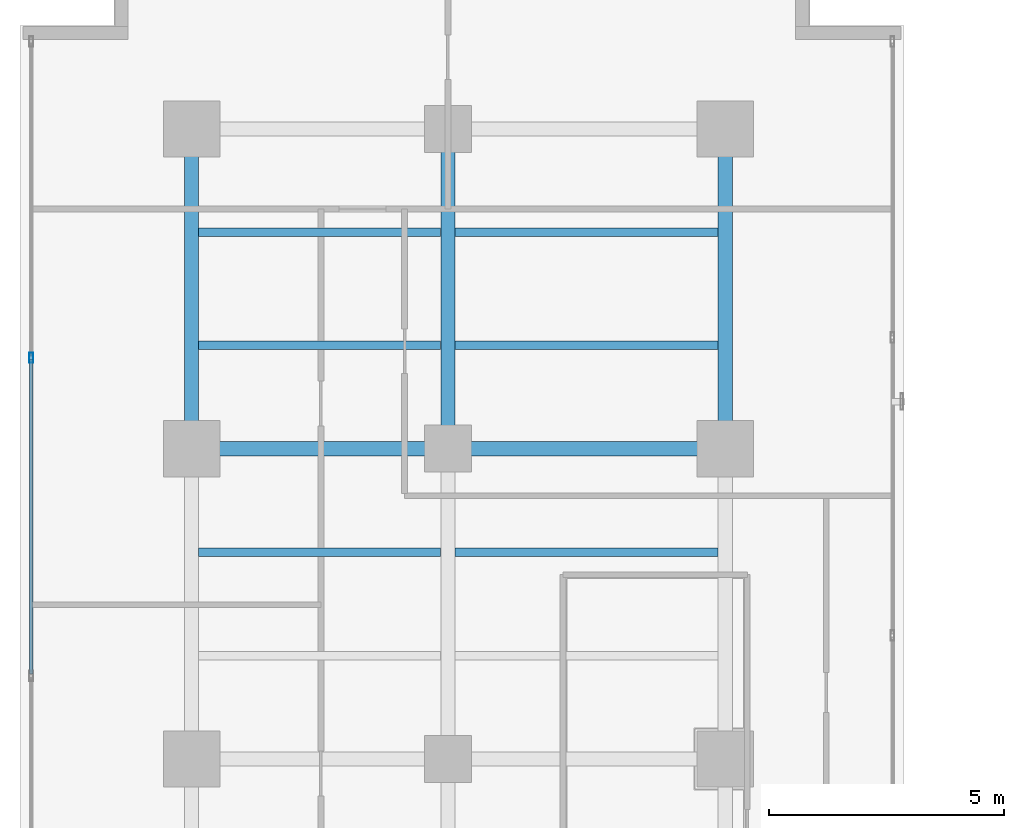
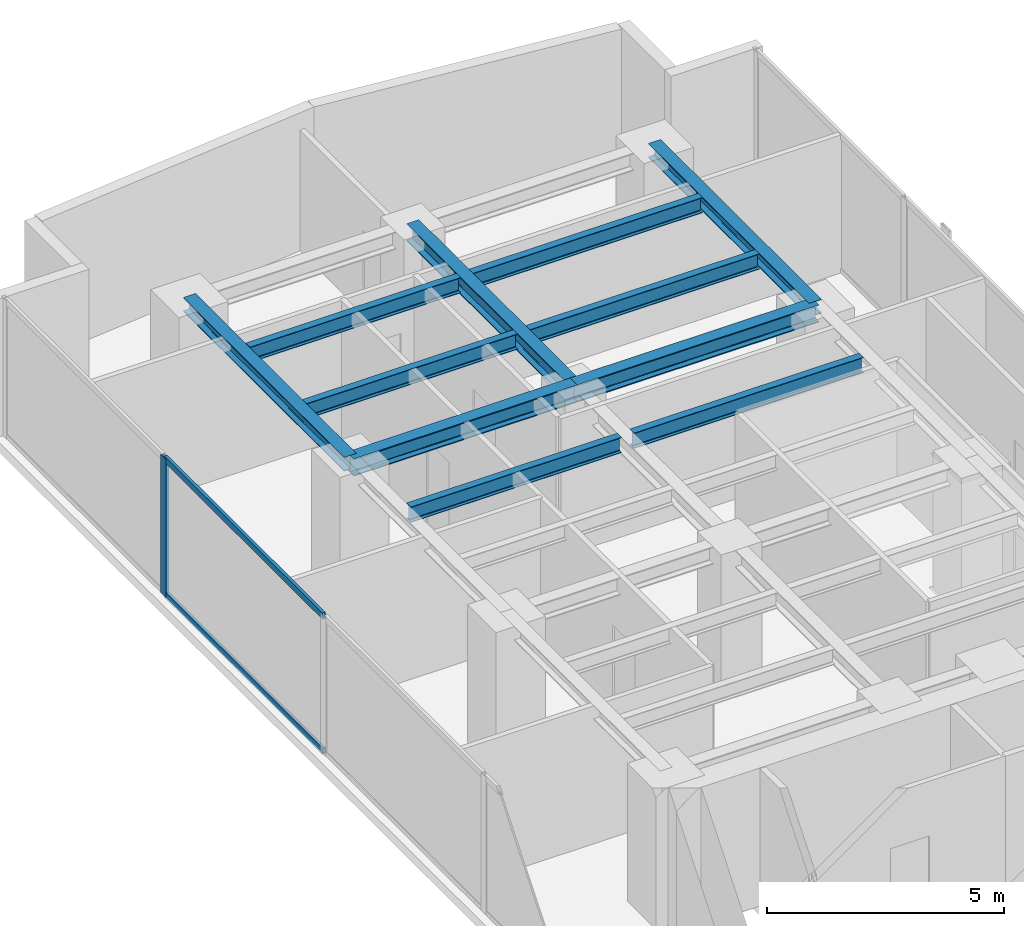
# One storey, part 15 of 24: 11 beams, 3 members, 1 element without a shape of its own.
"""IFC4 building model written with IfcOpenShell, lengths in metres."""

from ifc_helpers import new_model, si_unit, direction, frame, origin, origin_with_axes, origin_2d, place, context, subcontext, project, spatial, hollow_rectangle, i_section, extrude, source, transform, mapped, material, layer, layer_set, material_profile, profile_set, type_object, element, aggregate, save


model = new_model("IFC4")

# Units and contexts
model_context = context("Model", 3, precision=1e-05, world=origin(), true_north=direction((0.0, 1.0)))
body_context = subcontext(model_context, "Body", "Model", "MODEL_VIEW")
ifc_project = project(units=[si_unit("LENGTHUNIT", "METRE"), si_unit("AREAUNIT", "SQUARE_METRE"), si_unit("VOLUMEUNIT", "CUBIC_METRE"), si_unit("PLANEANGLEUNIT", "RADIAN"), si_unit("MASSUNIT", "GRAM", prefix="KILO")], contexts=[model_context])

# Site, building, storey
site_placement = place(None, origin())
site = spatial("IfcSite", under=ifc_project, at=site_placement, CompositionType="ELEMENT")
building_placement = place(site_placement, origin())
building = spatial("IfcBuilding", under=site, at=building_placement, Name="Kolvaren Waterfront Exchange", CompositionType="ELEMENT")
storey_placement = place(building_placement, frame((0.0, 0.0, 184.199951171875)))
storey = spatial("IfcBuildingStorey", under=building, at=storey_placement, Name="L47", CompositionType="ELEMENT", Elevation=184.199951171875)

# Beams
ifc_material_1 = material(Name="Steel S355", Category="steel")
ifc_material_profile_1 = material_profile(ifc_material_1, i_section(OverallWidth=0.300048828125, OverallDepth=0.360107421875, WebThickness=0.012451171875, FlangeThickness=0.0224609375, FilletRadius=0.027099609375, at=origin_2d()), Name="HEB360")
ifc_profile_set_1 = profile_set([ifc_material_profile_1], Name="Steel S355")
beam_type_1 = type_object("IfcBeamType", Name="STR-BM-HEB360", PredefinedType="SPANDREL", material=ifc_profile_set_1)
for number, where, z_axis, x_axis, name in (
    (1, (7.449951171875, 37.800048828125, 3.380126953125), (0.0, 1.0, 0.0), (-1.0, 0.0, 0.0), "L47 north-arm edge beam 3"),
    (2, (18.800048828125, 37.800048828125, 3.380126953125), (0.0, 1.0, 0.0), (-1.0, 0.0, 0.0), "L47 north-arm edge beam 3"),
):
    element("IfcBeam", number, at=place(storey_placement, frame(where, z_axis=z_axis, x_axis=x_axis)), inside=storey, type_object=beam_type_1, Name=name, PredefinedType="SPANDREL", context=body_context, shape_type="SweptSolid", body=[
        extrude(i_section(OverallWidth=0.300048828125, OverallDepth=0.360107421875, WebThickness=0.012451171875, FlangeThickness=0.0224609375, FilletRadius=0.027099609375, at=origin_2d()), origin(), (0.0, 0.0, 1.0), 6.800048828125),
    ])
ifc_material_profile_2 = material_profile(ifc_material_1, i_section(OverallWidth=0.300048828125, OverallDepth=0.449951171875, WebThickness=0.013916015625, FlangeThickness=0.02587890625, FilletRadius=0.027099609375, at=origin_2d()), Name="HEB450")
ifc_profile_set_2 = profile_set([ifc_material_profile_2], Name="Steel S355")
beam_type_2 = type_object("IfcBeamType", Name="STR-BM-HEB450", PredefinedType="BEAM", material=ifc_profile_set_2)
beam_1_placement = place(storey_placement, frame((7.449951171875, 37.800048828125, 3.3349609375), z_axis=(1.0, 0.0, 0.0), x_axis=(0.0, 1.0, 0.0)))
element("IfcBeam", 3, at=beam_1_placement, inside=storey, type_object=beam_type_2, Name="L47 north-arm girder 3A", PredefinedType="BEAM", context=body_context, shape_type="SweptSolid", body=[
    extrude(i_section(OverallWidth=0.300048828125, OverallDepth=0.449951171875, WebThickness=0.013916015625, FlangeThickness=0.02587890625, FilletRadius=0.027099609375, at=origin_2d()), origin(), (0.0, 0.0, 1.0), 5.449951171875),
])
beam_2_placement = place(storey_placement, frame((12.89990234375, 37.800048828125, 3.3349609375), z_axis=(1.0, 0.0, 0.0), x_axis=(0.0, 1.0, 0.0)))
element("IfcBeam", 4, at=beam_2_placement, inside=storey, type_object=beam_type_2, Name="L47 north-arm girder 3B", PredefinedType="BEAM", context=body_context, shape_type="SweptSolid", body=[
    extrude(i_section(OverallWidth=0.300048828125, OverallDepth=0.449951171875, WebThickness=0.013916015625, FlangeThickness=0.02587890625, FilletRadius=0.027099609375, at=origin_2d()), origin(), (0.0, 0.0, 1.0), 5.900146484375),
])
beam_3_placement = place(storey_placement, frame((12.89990234375, 37.800048828125, 3.3349609375), z_axis=(0.0, 1.0, 0.0), x_axis=(-1.0, 0.0, 0.0)))
element("IfcBeam", 5, at=beam_3_placement, inside=storey, type_object=beam_type_2, Name="L47 north-arm edge beam 3", PredefinedType="BEAM", context=body_context, shape_type="SweptSolid", body=[
    extrude(i_section(OverallWidth=0.300048828125, OverallDepth=0.449951171875, WebThickness=0.013916015625, FlangeThickness=0.02587890625, FilletRadius=0.027099609375, at=origin_2d()), origin(), (0.0, 0.0, 1.0), 6.800048828125),
])
ifc_material_profile_3 = material_profile(ifc_material_1, i_section(OverallWidth=0.179931640625, OverallDepth=0.39990234375, WebThickness=0.008544921875, FlangeThickness=0.013427734375, FilletRadius=0.02099609375, at=origin_2d()), Name="IPE400")
ifc_profile_set_3 = profile_set([ifc_material_profile_3], Name="Steel S355")
beam_type_3 = type_object("IfcBeamType", Name="STR-BM-IPE400", PredefinedType="JOIST", material=ifc_profile_set_3)
beam_4_placement = place(storey_placement, frame((7.60205078125, 35.60009765625, 3.360107421875), z_axis=(1.0, 0.0, 0.0), x_axis=(0.0, 1.0, 0.0)))
element("IfcBeam", 6, at=beam_4_placement, inside=storey, type_object=beam_type_3, Name="L47 north-arm composite joist 4A", PredefinedType="JOIST", context=body_context, shape_type="SweptSolid", body=[
    extrude(i_section(OverallWidth=0.179931640625, OverallDepth=0.39990234375, WebThickness=0.008544921875, FlangeThickness=0.013427734375, FilletRadius=0.02099609375, at=origin_2d()), origin(), (0.0, 0.0, 1.0), 5.14599609375),
])
beam_5_placement = place(storey_placement, frame((13.052001953125, 35.60009765625, 3.360107421875), z_axis=(1.0, 0.0, 0.0), x_axis=(0.0, 1.0, 0.0)))
element("IfcBeam", 7, at=beam_5_placement, inside=storey, type_object=beam_type_3, Name="L47 north-arm composite joist 4B", PredefinedType="JOIST", context=body_context, shape_type="SweptSolid", body=[
    extrude(i_section(OverallWidth=0.179931640625, OverallDepth=0.39990234375, WebThickness=0.008544921875, FlangeThickness=0.013427734375, FilletRadius=0.02099609375, at=origin_2d()), origin(), (0.0, 0.0, 1.0), 5.595947265625),
])
beam_6_placement = place(storey_placement, frame((7.60205078125, 40.0, 3.360107421875), z_axis=(1.0, 0.0, 0.0), x_axis=(0.0, 1.0, 0.0)))
element("IfcBeam", 8, at=beam_6_placement, inside=storey, type_object=beam_type_3, Name="L47 north-arm composite joist 5A", PredefinedType="JOIST", context=body_context, shape_type="SweptSolid", body=[
    extrude(i_section(OverallWidth=0.179931640625, OverallDepth=0.39990234375, WebThickness=0.008544921875, FlangeThickness=0.013427734375, FilletRadius=0.02099609375, at=origin_2d()), origin(), (0.0, 0.0, 1.0), 5.14599609375),
])
beam_7_placement = place(storey_placement, frame((13.052001953125, 40.0, 3.360107421875), z_axis=(1.0, 0.0, 0.0), x_axis=(0.0, 1.0, 0.0)))
element("IfcBeam", 9, at=beam_7_placement, inside=storey, type_object=beam_type_3, Name="L47 north-arm composite joist 5B", PredefinedType="JOIST", context=body_context, shape_type="SweptSolid", body=[
    extrude(i_section(OverallWidth=0.179931640625, OverallDepth=0.39990234375, WebThickness=0.008544921875, FlangeThickness=0.013427734375, FilletRadius=0.02099609375, at=origin_2d()), origin(), (0.0, 0.0, 1.0), 5.595947265625),
])
beam_8_placement = place(storey_placement, frame((7.60205078125, 42.39990234375, 3.360107421875), z_axis=(1.0, 0.0, 0.0), x_axis=(0.0, 1.0, 0.0)))
element("IfcBeam", 10, at=beam_8_placement, inside=storey, type_object=beam_type_3, Name="L47 north-arm composite joist 6A", PredefinedType="JOIST", context=body_context, shape_type="SweptSolid", body=[
    extrude(i_section(OverallWidth=0.179931640625, OverallDepth=0.39990234375, WebThickness=0.008544921875, FlangeThickness=0.013427734375, FilletRadius=0.02099609375, at=origin_2d()), origin(), (0.0, 0.0, 1.0), 5.14599609375),
])
beam_9_placement = place(storey_placement, frame((13.052001953125, 42.39990234375, 3.360107421875), z_axis=(1.0, 0.0, 0.0), x_axis=(0.0, 1.0, 0.0)))
element("IfcBeam", 11, at=beam_9_placement, inside=storey, type_object=beam_type_3, Name="L47 north-arm composite joist 6B", PredefinedType="JOIST", context=body_context, shape_type="SweptSolid", body=[
    extrude(i_section(OverallWidth=0.179931640625, OverallDepth=0.39990234375, WebThickness=0.008544921875, FlangeThickness=0.013427734375, FilletRadius=0.02099609375, at=origin_2d()), origin(), (0.0, 0.0, 1.0), 5.595947265625),
])

# Curtain wall, members
ifc_material_2 = material(Name="Anodised aluminium 6063-T6", Category="aluminium")
ifc_layer = layer(ifc_material_2, 0.219970703125, Name="Anodised aluminium 6063-T6")
ifc_layer_set = layer_set([ifc_layer], Name="Anodised aluminium 6063-T6")
curtain_wall_type = type_object("IfcCurtainWallType", Name="ARC-CW-SYS2", PredefinedType="USERDEFINED", material=ifc_layer_set)
curtain_wall_placement = place(storey_placement, origin())
curtain_wall = element("IfcCurtainWall", 12, at=curtain_wall_placement, inside=storey, type_object=curtain_wall_type, Name="L47 stick curtain wall CW2 (CW-L47-W)", ObjectType="STICK CURTAIN WALL", PredefinedType="USERDEFINED")
ifc_material_profile_4 = material_profile(ifc_material_2, hollow_rectangle(XDim=0.080078125, YDim=0.219970703125, WallThickness=0.0048828125, at=origin_2d()), Name="ALU-MUL-220x80x5")
ifc_profile_set_4 = profile_set([ifc_material_profile_4], Name="Anodised aluminium 6063-T6")
member_type_1 = type_object("IfcMemberType", Name="ARC-CWM-220", PredefinedType="MULLION", material=ifc_profile_set_4)
shared_shape_1 = source(origin_with_axes(), body_context, "Body", "SweptSolid", [
    extrude(hollow_rectangle(XDim=0.080078125, YDim=0.219970703125, WallThickness=0.0048828125, at=origin_2d()), origin(), (0.0, 0.0, 1.0), 3.56005859375),
])
member_1_placement = place(storey_placement, frame((4.0400390625, 39.7333984375, 0.0), z_axis=(0.0, 0.0, 1.0), x_axis=(-1.0, 0.0, 0.0)))
member_1 = element("IfcMember", 13, at=member_1_placement, type_object=member_type_1, Name="CW2 mullion 6", PredefinedType="MULLION", context=body_context, shape_type="MappedRepresentation", body=[
    mapped(shared_shape_1, transform((0.0, 0.0, 0.0), x_axis=(1.0, 0.0, 0.0), y_axis=(0.0, 1.0, 0.0), z_axis=(0.0, 0.0, 1.0), scale=1.0)),
])
ifc_material_profile_5 = material_profile(ifc_material_2, hollow_rectangle(XDim=0.074951171875, YDim=0.159912109375, WallThickness=0.00439453125, at=origin_2d()), Name="ALU-TRN-160x75x4.5")
ifc_profile_set_5 = profile_set([ifc_material_profile_5], Name="Anodised aluminium 6063-T6")
member_type_2 = type_object("IfcMemberType", Name="ARC-CWT-160", PredefinedType="USERDEFINED", material=ifc_profile_set_5)
shared_shape_2 = source(origin_with_axes(), body_context, "Body", "SweptSolid", [
    extrude(hollow_rectangle(XDim=0.074951171875, YDim=0.159912109375, WallThickness=0.00439453125, at=origin_2d()), origin(), (0.0, 0.0, 1.0), 6.686767578125),
])
member_2_placement = place(storey_placement, frame((4.0400390625, 33.006591796875, 0.03759765625), z_axis=(0.0, 1.0, 0.0), x_axis=(-1.0, 0.0, 0.0)))
member_2 = element("IfcMember", 14, at=member_2_placement, type_object=member_type_2, Name="CW2 transom 5.1", ObjectType="TRANSOM", PredefinedType="USERDEFINED", context=body_context, shape_type="MappedRepresentation", body=[
    mapped(shared_shape_2, transform((0.0, 0.0, 0.0), x_axis=(1.0, 0.0, 0.0), y_axis=(0.0, 1.0, 0.0), z_axis=(0.0, 0.0, 1.0), scale=1.0)),
])
member_3_placement = place(storey_placement, frame((4.0400390625, 33.006591796875, 3.5224609375), z_axis=(0.0, 1.0, 0.0), x_axis=(-1.0, 0.0, 0.0)))
member_3 = element("IfcMember", 15, at=member_3_placement, type_object=member_type_2, Name="CW2 transom 5.2", ObjectType="TRANSOM", PredefinedType="USERDEFINED", context=body_context, shape_type="MappedRepresentation", body=[
    mapped(shared_shape_2, transform((0.0, 0.0, 0.0), x_axis=(1.0, 0.0, 0.0), y_axis=(0.0, 1.0, 0.0), z_axis=(0.0, 0.0, 1.0), scale=1.0)),
])
aggregate(curtain_wall, [member_1, member_2, member_3])

save(model, "model.ifc")
